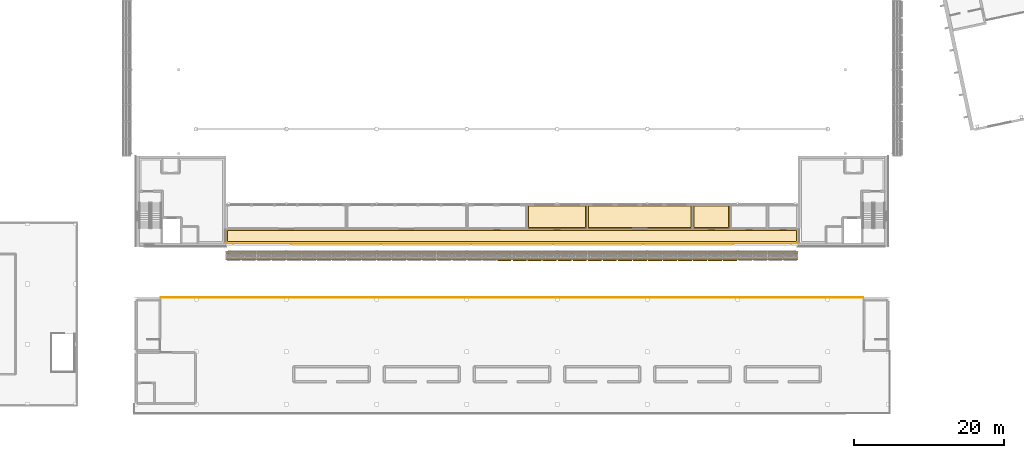
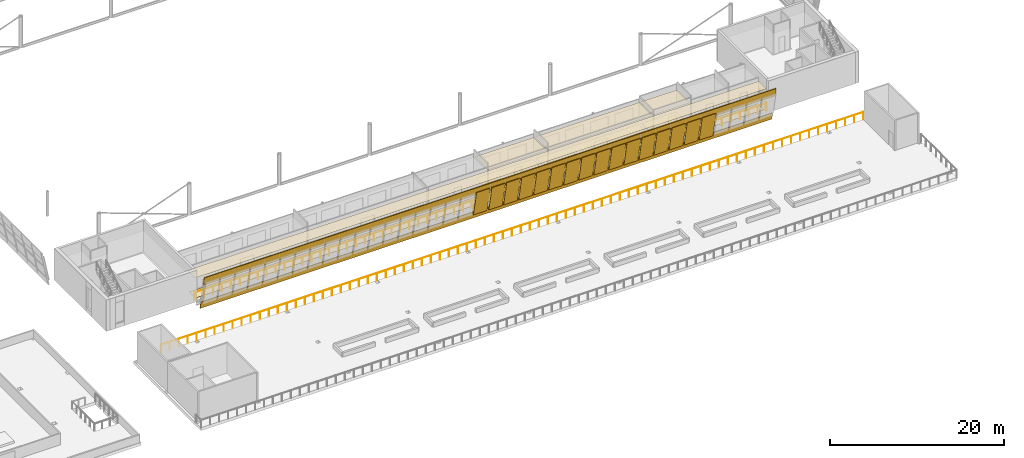
# One storey, part 82 of 95: 16 shading devices, 10 coverings, 2 railings.
"""IFC4 building model written with IfcOpenShell, lengths in metres."""

from ifc_helpers import new_model, si_unit, direction, frame, origin, origin_2d, place, context, subcontext, project, spatial, polyline, circle, outline, extrude, material, layer, layer_set, type_object, element, save


model = new_model("IFC4")

# Units and contexts
model_context = context("Model", 3, precision=1e-05, world=origin(), true_north=direction((0.0, 1.0)))
body_context = subcontext(model_context, "Body", "Model", "MODEL_VIEW")
ifc_project = project(units=[si_unit("LENGTHUNIT", "METRE"), si_unit("AREAUNIT", "SQUARE_METRE"), si_unit("VOLUMEUNIT", "CUBIC_METRE"), si_unit("PLANEANGLEUNIT", "RADIAN"), si_unit("MASSUNIT", "GRAM", prefix="KILO")], contexts=[model_context])

# Site, building, storey
site_placement = place(None, origin())
site = spatial("IfcSite", under=ifc_project, at=site_placement, CompositionType="ELEMENT")
building_placement = place(site_placement, origin())
building = spatial("IfcBuilding", under=site, at=building_placement, Name="Windward Yard Aquatics Centre", CompositionType="ELEMENT")
storey_placement = place(building_placement, frame((0.0, 0.0, 9.39990234375)))
storey = spatial("IfcBuildingStorey", under=building, at=storey_placement, Name="L02", CompositionType="ELEMENT", Elevation=9.39990234375)

# Railing
ifc_material_1 = material(Name="Stainless steel 1.4529", Category="steel")
railing_type_1 = type_object("IfcRailingType", Name="C terrace guard 1100", PredefinedType="GUARDRAIL", material=ifc_material_1)
railing_1_placement = place(storey_placement, frame((148.699951171875, 19.22509765625, 0.0)))
element("IfcRailing", 1, at=railing_1_placement, inside=storey, type_object=railing_type_1, Name="C.R.G2", PredefinedType="GUARDRAIL", context=body_context, shape_type="SweptSolid", body=[
    extrude(circle(Radius=0.02392578125, at=origin_2d()), frame((0.0, 0.0, 1.076171875), z_axis=(-1.0, 0.0, 0.0), x_axis=(0.0, -1.0, 0.0)), (0.0, 0.0, 1.0), 93.39990234375),
    extrude(circle(Radius=0.02099609375, at=origin_2d()), origin(), (0.0, 0.0, 1.0), 1.052001953125),
    extrude(circle(Radius=0.02099609375, at=origin_2d()), frame((-1.197509765625, 0.0, 0.0)), (0.0, 0.0, 1.0), 1.052001953125),
    extrude(circle(Radius=0.02099609375, at=origin_2d()), frame((-2.394775390625, 0.0, 0.0)), (0.0, 0.0, 1.0), 1.052001953125),
    extrude(circle(Radius=0.02099609375, at=origin_2d()), frame((-3.59228515625, 0.0, 0.0)), (0.0, 0.0, 1.0), 1.052001953125),
    extrude(circle(Radius=0.02099609375, at=origin_2d()), frame((-4.789794921875, 0.0, 0.0)), (0.0, 0.0, 1.0), 1.052001953125),
    extrude(circle(Radius=0.02099609375, at=origin_2d()), frame((-5.987060546875, 0.0, 0.0)), (0.0, 0.0, 1.0), 1.052001953125),
    extrude(circle(Radius=0.02099609375, at=origin_2d()), frame((-7.1845703125, 0.0, 0.0)), (0.0, 0.0, 1.0), 1.052001953125),
    extrude(circle(Radius=0.02099609375, at=origin_2d()), frame((-8.382080078125, 0.0, 0.0)), (0.0, 0.0, 1.0), 1.052001953125),
    extrude(circle(Radius=0.02099609375, at=origin_2d()), frame((-9.57958984375, 0.0, 0.0)), (0.0, 0.0, 1.0), 1.052001953125),
    extrude(circle(Radius=0.02099609375, at=origin_2d()), frame((-10.77685546875, 0.0, 0.0)), (0.0, 0.0, 1.0), 1.052001953125),
    extrude(circle(Radius=0.02099609375, at=origin_2d()), frame((-11.974365234375, 0.0, 0.0)), (0.0, 0.0, 1.0), 1.052001953125),
    extrude(circle(Radius=0.02099609375, at=origin_2d()), frame((-13.171875, 0.0, 0.0)), (0.0, 0.0, 1.0), 1.052001953125),
    extrude(circle(Radius=0.02099609375, at=origin_2d()), frame((-14.369140625, 0.0, 0.0)), (0.0, 0.0, 1.0), 1.052001953125),
    extrude(circle(Radius=0.02099609375, at=origin_2d()), frame((-15.566650390625, 0.0, 0.0)), (0.0, 0.0, 1.0), 1.052001953125),
    extrude(circle(Radius=0.02099609375, at=origin_2d()), frame((-16.76416015625, 0.0, 0.0)), (0.0, 0.0, 1.0), 1.052001953125),
    extrude(circle(Radius=0.02099609375, at=origin_2d()), frame((-17.96142578125, 0.0, 0.0)), (0.0, 0.0, 1.0), 1.052001953125),
    extrude(circle(Radius=0.02099609375, at=origin_2d()), frame((-19.158935546875, 0.0, 0.0)), (0.0, 0.0, 1.0), 1.052001953125),
    extrude(circle(Radius=0.02099609375, at=origin_2d()), frame((-20.3564453125, 0.0, 0.0)), (0.0, 0.0, 1.0), 1.052001953125),
    extrude(circle(Radius=0.02099609375, at=origin_2d()), frame((-21.5537109375, 0.0, 0.0)), (0.0, 0.0, 1.0), 1.052001953125),
    extrude(circle(Radius=0.02099609375, at=origin_2d()), frame((-22.751220703125, 0.0, 0.0)), (0.0, 0.0, 1.0), 1.052001953125),
    extrude(circle(Radius=0.02099609375, at=origin_2d()), frame((-23.94873046875, 0.0, 0.0)), (0.0, 0.0, 1.0), 1.052001953125),
    extrude(circle(Radius=0.02099609375, at=origin_2d()), frame((-25.146240234375, 0.0, 0.0)), (0.0, 0.0, 1.0), 1.052001953125),
    extrude(circle(Radius=0.02099609375, at=origin_2d()), frame((-26.343505859375, 0.0, 0.0)), (0.0, 0.0, 1.0), 1.052001953125),
    extrude(circle(Radius=0.02099609375, at=origin_2d()), frame((-27.541015625, 0.0, 0.0)), (0.0, 0.0, 1.0), 1.052001953125),
    extrude(circle(Radius=0.02099609375, at=origin_2d()), frame((-28.738525390625, 0.0, 0.0)), (0.0, 0.0, 1.0), 1.052001953125),
    extrude(circle(Radius=0.02099609375, at=origin_2d()), frame((-29.935791015625, 0.0, 0.0)), (0.0, 0.0, 1.0), 1.052001953125),
    extrude(circle(Radius=0.02099609375, at=origin_2d()), frame((-31.13330078125, 0.0, 0.0)), (0.0, 0.0, 1.0), 1.052001953125),
    extrude(circle(Radius=0.02099609375, at=origin_2d()), frame((-32.330810546875, 0.0, 0.0)), (0.0, 0.0, 1.0), 1.052001953125),
    extrude(circle(Radius=0.02099609375, at=origin_2d()), frame((-33.528076171875, 0.0, 0.0)), (0.0, 0.0, 1.0), 1.052001953125),
    extrude(circle(Radius=0.02099609375, at=origin_2d()), frame((-34.7255859375, 0.0, 0.0)), (0.0, 0.0, 1.0), 1.052001953125),
    extrude(circle(Radius=0.02099609375, at=origin_2d()), frame((-35.923095703125, 0.0, 0.0)), (0.0, 0.0, 1.0), 1.052001953125),
    extrude(circle(Radius=0.02099609375, at=origin_2d()), frame((-37.120361328125, 0.0, 0.0)), (0.0, 0.0, 1.0), 1.052001953125),
    extrude(circle(Radius=0.02099609375, at=origin_2d()), frame((-38.31787109375, 0.0, 0.0)), (0.0, 0.0, 1.0), 1.052001953125),
    extrude(circle(Radius=0.02099609375, at=origin_2d()), frame((-39.515380859375, 0.0, 0.0)), (0.0, 0.0, 1.0), 1.052001953125),
    extrude(circle(Radius=0.02099609375, at=origin_2d()), frame((-40.712890625, 0.0, 0.0)), (0.0, 0.0, 1.0), 1.052001953125),
    extrude(circle(Radius=0.02099609375, at=origin_2d()), frame((-41.91015625, 0.0, 0.0)), (0.0, 0.0, 1.0), 1.052001953125),
    extrude(circle(Radius=0.02099609375, at=origin_2d()), frame((-43.107666015625, 0.0, 0.0)), (0.0, 0.0, 1.0), 1.052001953125),
    extrude(circle(Radius=0.02099609375, at=origin_2d()), frame((-44.30517578125, 0.0, 0.0)), (0.0, 0.0, 1.0), 1.052001953125),
    extrude(circle(Radius=0.02099609375, at=origin_2d()), frame((-45.50244140625, 0.0, 0.0)), (0.0, 0.0, 1.0), 1.052001953125),
    extrude(circle(Radius=0.02099609375, at=origin_2d()), frame((-46.699951171875, 0.0, 0.0)), (0.0, 0.0, 1.0), 1.052001953125),
    extrude(circle(Radius=0.02099609375, at=origin_2d()), frame((-47.8974609375, 0.0, 0.0)), (0.0, 0.0, 1.0), 1.052001953125),
    extrude(circle(Radius=0.02099609375, at=origin_2d()), frame((-49.0947265625, 0.0, 0.0)), (0.0, 0.0, 1.0), 1.052001953125),
    extrude(circle(Radius=0.02099609375, at=origin_2d()), frame((-50.292236328125, 0.0, 0.0)), (0.0, 0.0, 1.0), 1.052001953125),
    extrude(circle(Radius=0.02099609375, at=origin_2d()), frame((-51.48974609375, 0.0, 0.0)), (0.0, 0.0, 1.0), 1.052001953125),
    extrude(circle(Radius=0.02099609375, at=origin_2d()), frame((-52.68701171875, 0.0, 0.0)), (0.0, 0.0, 1.0), 1.052001953125),
    extrude(circle(Radius=0.02099609375, at=origin_2d()), frame((-53.884521484375, 0.0, 0.0)), (0.0, 0.0, 1.0), 1.052001953125),
    extrude(circle(Radius=0.02099609375, at=origin_2d()), frame((-55.08203125, 0.0, 0.0)), (0.0, 0.0, 1.0), 1.052001953125),
    extrude(circle(Radius=0.02099609375, at=origin_2d()), frame((-56.279541015625, 0.0, 0.0)), (0.0, 0.0, 1.0), 1.052001953125),
    extrude(circle(Radius=0.02099609375, at=origin_2d()), frame((-57.476806640625, 0.0, 0.0)), (0.0, 0.0, 1.0), 1.052001953125),
    extrude(circle(Radius=0.02099609375, at=origin_2d()), frame((-58.67431640625, 0.0, 0.0)), (0.0, 0.0, 1.0), 1.052001953125),
    extrude(circle(Radius=0.02099609375, at=origin_2d()), frame((-59.871826171875, 0.0, 0.0)), (0.0, 0.0, 1.0), 1.052001953125),
    extrude(circle(Radius=0.02099609375, at=origin_2d()), frame((-61.069091796875, 0.0, 0.0)), (0.0, 0.0, 1.0), 1.052001953125),
    extrude(circle(Radius=0.02099609375, at=origin_2d()), frame((-62.2666015625, 0.0, 0.0)), (0.0, 0.0, 1.0), 1.052001953125),
    extrude(circle(Radius=0.02099609375, at=origin_2d()), frame((-63.464111328125, 0.0, 0.0)), (0.0, 0.0, 1.0), 1.052001953125),
    extrude(circle(Radius=0.02099609375, at=origin_2d()), frame((-64.661376953125, 0.0, 0.0)), (0.0, 0.0, 1.0), 1.052001953125),
    extrude(circle(Radius=0.02099609375, at=origin_2d()), frame((-65.85888671875, 0.0, 0.0)), (0.0, 0.0, 1.0), 1.052001953125),
    extrude(circle(Radius=0.02099609375, at=origin_2d()), frame((-67.056396484375, 0.0, 0.0)), (0.0, 0.0, 1.0), 1.052001953125),
    extrude(circle(Radius=0.02099609375, at=origin_2d()), frame((-68.253662109375, 0.0, 0.0)), (0.0, 0.0, 1.0), 1.052001953125),
    extrude(circle(Radius=0.02099609375, at=origin_2d()), frame((-69.451171875, 0.0, 0.0)), (0.0, 0.0, 1.0), 1.052001953125),
    extrude(circle(Radius=0.02099609375, at=origin_2d()), frame((-70.648681640625, 0.0, 0.0)), (0.0, 0.0, 1.0), 1.052001953125),
    extrude(circle(Radius=0.02099609375, at=origin_2d()), frame((-71.84619140625, 0.0, 0.0)), (0.0, 0.0, 1.0), 1.052001953125),
    extrude(circle(Radius=0.02099609375, at=origin_2d()), frame((-73.04345703125, 0.0, 0.0)), (0.0, 0.0, 1.0), 1.052001953125),
    extrude(circle(Radius=0.02099609375, at=origin_2d()), frame((-74.240966796875, 0.0, 0.0)), (0.0, 0.0, 1.0), 1.052001953125),
    extrude(circle(Radius=0.02099609375, at=origin_2d()), frame((-75.4384765625, 0.0, 0.0)), (0.0, 0.0, 1.0), 1.052001953125),
    extrude(circle(Radius=0.02099609375, at=origin_2d()), frame((-76.6357421875, 0.0, 0.0)), (0.0, 0.0, 1.0), 1.052001953125),
    extrude(circle(Radius=0.02099609375, at=origin_2d()), frame((-77.833251953125, 0.0, 0.0)), (0.0, 0.0, 1.0), 1.052001953125),
    extrude(circle(Radius=0.02099609375, at=origin_2d()), frame((-79.03076171875, 0.0, 0.0)), (0.0, 0.0, 1.0), 1.052001953125),
    extrude(circle(Radius=0.02099609375, at=origin_2d()), frame((-80.22802734375, 0.0, 0.0)), (0.0, 0.0, 1.0), 1.052001953125),
    extrude(circle(Radius=0.02099609375, at=origin_2d()), frame((-81.425537109375, 0.0, 0.0)), (0.0, 0.0, 1.0), 1.052001953125),
    extrude(circle(Radius=0.02099609375, at=origin_2d()), frame((-82.623046875, 0.0, 0.0)), (0.0, 0.0, 1.0), 1.052001953125),
    extrude(circle(Radius=0.02099609375, at=origin_2d()), frame((-83.8203125, 0.0, 0.0)), (0.0, 0.0, 1.0), 1.052001953125),
    extrude(circle(Radius=0.02099609375, at=origin_2d()), frame((-85.017822265625, 0.0, 0.0)), (0.0, 0.0, 1.0), 1.052001953125),
    extrude(circle(Radius=0.02099609375, at=origin_2d()), frame((-86.21533203125, 0.0, 0.0)), (0.0, 0.0, 1.0), 1.052001953125),
    extrude(circle(Radius=0.02099609375, at=origin_2d()), frame((-87.412841796875, 0.0, 0.0)), (0.0, 0.0, 1.0), 1.052001953125),
    extrude(circle(Radius=0.02099609375, at=origin_2d()), frame((-88.610107421875, 0.0, 0.0)), (0.0, 0.0, 1.0), 1.052001953125),
    extrude(circle(Radius=0.02099609375, at=origin_2d()), frame((-89.8076171875, 0.0, 0.0)), (0.0, 0.0, 1.0), 1.052001953125),
    extrude(circle(Radius=0.02099609375, at=origin_2d()), frame((-91.005126953125, 0.0, 0.0)), (0.0, 0.0, 1.0), 1.052001953125),
    extrude(circle(Radius=0.02099609375, at=origin_2d()), frame((-92.202392578125, 0.0, 0.0)), (0.0, 0.0, 1.0), 1.052001953125),
    extrude(circle(Radius=0.02099609375, at=origin_2d()), frame((-93.39990234375, 0.0, 0.0)), (0.0, 0.0, 1.0), 1.052001953125),
])

# Coverings
ifc_material_2 = material(Name="Polished screed")
ifc_layer_1 = layer(ifc_material_2, 0.0400390625)
ifc_layer_set_1 = layer_set([ifc_layer_1], Name="H Floor Finish Screed 40")
covering_type_1 = type_object("IfcCoveringType", Name="H Floor Finish Screed 40", PredefinedType="FLOORING", material=ifc_layer_set_1)
covering_1_placement = place(storey_placement, origin())
element("IfcCovering", 2, at=covering_1_placement, inside=storey, type_object=covering_type_1, Name="Scoreboard and Control Room floor finish", PredefinedType="FLOORING", context=body_context, shape_type="SweptSolid", body=[
    extrude(outline(polyline([(104.199951171875, 28.5), (104.199951171875, 31.359619140625), (111.800048828125, 31.359619140625), (111.800048828125, 28.5), (104.199951171875, 28.5)])), origin(), (0.0, 0.0, 1.0), 0.02001953125),
])
covering_2_placement = place(storey_placement, origin())
element("IfcCovering", 3, at=covering_2_placement, inside=storey, type_object=covering_type_1, Name="VIP Suite floor finish", PredefinedType="FLOORING", context=body_context, shape_type="SweptSolid", body=[
    extrude(outline(polyline([(112.199951171875, 28.5), (112.199951171875, 31.359619140625), (125.800048828125, 31.359619140625), (125.800048828125, 28.5), (112.199951171875, 28.5)])), origin(), (0.0, 0.0, 1.0), 0.02001953125),
])
covering_3_placement = place(storey_placement, origin())
element("IfcCovering", 4, at=covering_3_placement, inside=storey, type_object=covering_type_1, Name="Upper Corridor South floor finish", PredefinedType="FLOORING", context=body_context, shape_type="SweptSolid", body=[
    extrude(outline(polyline([(64.199951171875, 26.64990234375), (64.199951171875, 28.10009765625), (139.800048828125, 28.10009765625), (139.800048828125, 26.64990234375), (64.199951171875, 26.64990234375)])), origin(), (0.0, 0.0, 1.0), 0.02001953125),
])
ifc_material_3 = material(Name="Ceramic tile")
ifc_layer_2 = layer(ifc_material_3, 0.02001953125)
ifc_layer_set_2 = layer_set([ifc_layer_2], Name="H Floor Finish Tile 20")
covering_type_2 = type_object("IfcCoveringType", Name="H Floor Finish Tile 20", PredefinedType="FLOORING", material=ifc_layer_set_2)
covering_4_placement = place(storey_placement, origin())
element("IfcCovering", 5, at=covering_4_placement, inside=storey, type_object=covering_type_2, Name="Upper WC Men floor finish", PredefinedType="FLOORING", context=body_context, shape_type="SweptSolid", body=[
    extrude(outline(polyline([(126.199951171875, 28.5), (126.199951171875, 31.359619140625), (130.800048828125, 31.359619140625), (130.800048828125, 28.5), (126.199951171875, 28.5)])), origin(), (0.0, 0.0, 1.0), 0.02001953125),
])
ifc_material_4 = material(Name="Aluminium plank", Category="aluminium")
ifc_layer_3 = layer(ifc_material_4, 0.02001953125)
ifc_layer_set_3 = layer_set([ifc_layer_3], Name="H Moisture Resistant Ceiling")
covering_type_3 = type_object("IfcCoveringType", Name="H Moisture Resistant Ceiling", PredefinedType="CEILING", material=ifc_layer_set_3)
covering_5_placement = place(storey_placement, frame((0.0, 0.0, 3.0)))
element("IfcCovering", 6, at=covering_5_placement, inside=storey, type_object=covering_type_3, Name="Upper WC Men ceiling", PredefinedType="CEILING", context=body_context, shape_type="SweptSolid", body=[
    extrude(outline(polyline([(126.075439453125, 28.37548828125), (126.075439453125, 31.4091796875), (130.924560546875, 31.4091796875), (130.924560546875, 28.37548828125), (126.075439453125, 28.37548828125)])), origin(), (0.0, 0.0, 1.0), 0.02001953125),
])
ifc_material_5 = material(Name="Mineral fibre tile")
ifc_layer_4 = layer(ifc_material_5, 0.02001953125)
ifc_layer_set_4 = layer_set([ifc_layer_4], Name="H Suspended Ceiling 600 x 600")
covering_type_4 = type_object("IfcCoveringType", Name="H Suspended Ceiling 600 x 600", PredefinedType="CEILING", material=ifc_layer_set_4)
covering_6_placement = place(storey_placement, frame((0.0, 0.0, 3.0)))
element("IfcCovering", 7, at=covering_6_placement, inside=storey, type_object=covering_type_4, Name="Scoreboard and Control Room ceiling", PredefinedType="CEILING", context=body_context, shape_type="SweptSolid", body=[
    extrude(outline(polyline([(104.075439453125, 28.37548828125), (104.075439453125, 31.4091796875), (111.924560546875, 31.4091796875), (111.924560546875, 28.37548828125), (104.075439453125, 28.37548828125)])), origin(), (0.0, 0.0, 1.0), 0.02001953125),
])
covering_7_placement = place(storey_placement, frame((0.0, 0.0, 3.0)))
element("IfcCovering", 8, at=covering_7_placement, inside=storey, type_object=covering_type_4, Name="VIP Suite ceiling", PredefinedType="CEILING", context=body_context, shape_type="SweptSolid", body=[
    extrude(outline(polyline([(112.075439453125, 28.37548828125), (112.075439453125, 31.4091796875), (125.924560546875, 31.4091796875), (125.924560546875, 28.37548828125), (112.075439453125, 28.37548828125)])), origin(), (0.0, 0.0, 1.0), 0.02001953125),
])
covering_8_placement = place(storey_placement, frame((0.0, 0.0, 3.0)))
element("IfcCovering", 9, at=covering_8_placement, inside=storey, type_object=covering_type_4, Name="Upper Corridor South ceiling", PredefinedType="CEILING", context=body_context, shape_type="SweptSolid", body=[
    extrude(outline(polyline([(64.00048828125, 26.449951171875), (64.00048828125, 28.224609375), (139.99951171875, 28.224609375), (139.99951171875, 26.449951171875), (64.00048828125, 26.449951171875)])), origin(), (0.0, 0.0, 1.0), 0.02001953125),
])

# Railing
ifc_material_6 = material(Name="Stainless steel 1.4401 with toughened laminated glass infill", Category="steel")
railing_type_2 = type_object("IfcRailingType", Name="H gallery guard 1100", PredefinedType="GUARDRAIL", material=ifc_material_6)
railing_2_placement = place(storey_placement, frame((64.02099609375, 26.56005859375, 0.0)))
element("IfcRailing", 10, at=railing_2_placement, inside=storey, type_object=railing_type_2, Name="Gallery guard S", PredefinedType="GUARDRAIL", context=body_context, shape_type="SweptSolid", body=[
    extrude(circle(Radius=0.02392578125, at=origin_2d()), frame((0.0, 0.0, 1.076171875), z_axis=(0.0, -1.0, 0.0), x_axis=(1.0, 0.0, 0.0)), (0.0, 0.0, 1.0), 0.199951171875),
    extrude(circle(Radius=0.02392578125, at=origin_2d()), frame((0.0, -0.199951171875, 1.076171875), z_axis=(1.0, 0.0, 0.0), x_axis=(0.0, 1.0, 0.0)), (0.0, 0.0, 1.0), 75.9580078125),
    extrude(circle(Radius=0.02392578125, at=origin_2d()), frame((75.9580078125, -0.199951171875, 1.076171875), z_axis=(0.0, 1.0, 0.0), x_axis=(-1.0, 0.0, 0.0)), (0.0, 0.0, 1.0), 0.199951171875),
    extrude(circle(Radius=0.02099609375, at=origin_2d()), origin(), (0.0, 0.0, 1.0), 1.052001953125),
    extrude(circle(Radius=0.02099609375, at=origin_2d()), frame((0.0, -0.199951171875, 0.0)), (0.0, 0.0, 1.0), 1.052001953125),
    extrude(circle(Radius=0.02099609375, at=origin_2d()), frame((1.186767578125, -0.199951171875, 0.0)), (0.0, 0.0, 1.0), 1.052001953125),
    extrude(circle(Radius=0.02099609375, at=origin_2d()), frame((2.373779296875, -0.199951171875, 0.0)), (0.0, 0.0, 1.0), 1.052001953125),
    extrude(circle(Radius=0.02099609375, at=origin_2d()), frame((3.560546875, -0.199951171875, 0.0)), (0.0, 0.0, 1.0), 1.052001953125),
    extrude(circle(Radius=0.02099609375, at=origin_2d()), frame((4.747314453125, -0.199951171875, 0.0)), (0.0, 0.0, 1.0), 1.052001953125),
    extrude(circle(Radius=0.02099609375, at=origin_2d()), frame((5.934326171875, -0.199951171875, 0.0)), (0.0, 0.0, 1.0), 1.052001953125),
    extrude(circle(Radius=0.02099609375, at=origin_2d()), frame((7.12109375, -0.199951171875, 0.0)), (0.0, 0.0, 1.0), 1.052001953125),
    extrude(circle(Radius=0.02099609375, at=origin_2d()), frame((8.307861328125, -0.199951171875, 0.0)), (0.0, 0.0, 1.0), 1.052001953125),
    extrude(circle(Radius=0.02099609375, at=origin_2d()), frame((9.49462890625, -0.199951171875, 0.0)), (0.0, 0.0, 1.0), 1.052001953125),
    extrude(circle(Radius=0.02099609375, at=origin_2d()), frame((10.681640625, -0.199951171875, 0.0)), (0.0, 0.0, 1.0), 1.052001953125),
    extrude(circle(Radius=0.02099609375, at=origin_2d()), frame((11.868408203125, -0.199951171875, 0.0)), (0.0, 0.0, 1.0), 1.052001953125),
    extrude(circle(Radius=0.02099609375, at=origin_2d()), frame((13.05517578125, -0.199951171875, 0.0)), (0.0, 0.0, 1.0), 1.052001953125),
    extrude(circle(Radius=0.02099609375, at=origin_2d()), frame((14.2421875, -0.199951171875, 0.0)), (0.0, 0.0, 1.0), 1.052001953125),
    extrude(circle(Radius=0.02099609375, at=origin_2d()), frame((15.428955078125, -0.199951171875, 0.0)), (0.0, 0.0, 1.0), 1.052001953125),
    extrude(circle(Radius=0.02099609375, at=origin_2d()), frame((16.61572265625, -0.199951171875, 0.0)), (0.0, 0.0, 1.0), 1.052001953125),
    extrude(circle(Radius=0.02099609375, at=origin_2d()), frame((17.802734375, -0.199951171875, 0.0)), (0.0, 0.0, 1.0), 1.052001953125),
    extrude(circle(Radius=0.02099609375, at=origin_2d()), frame((18.989501953125, -0.199951171875, 0.0)), (0.0, 0.0, 1.0), 1.052001953125),
    extrude(circle(Radius=0.02099609375, at=origin_2d()), frame((20.17626953125, -0.199951171875, 0.0)), (0.0, 0.0, 1.0), 1.052001953125),
    extrude(circle(Radius=0.02099609375, at=origin_2d()), frame((21.36328125, -0.199951171875, 0.0)), (0.0, 0.0, 1.0), 1.052001953125),
    extrude(circle(Radius=0.02099609375, at=origin_2d()), frame((22.550048828125, -0.199951171875, 0.0)), (0.0, 0.0, 1.0), 1.052001953125),
    extrude(circle(Radius=0.02099609375, at=origin_2d()), frame((23.73681640625, -0.199951171875, 0.0)), (0.0, 0.0, 1.0), 1.052001953125),
    extrude(circle(Radius=0.02099609375, at=origin_2d()), frame((24.923828125, -0.199951171875, 0.0)), (0.0, 0.0, 1.0), 1.052001953125),
    extrude(circle(Radius=0.02099609375, at=origin_2d()), frame((26.110595703125, -0.199951171875, 0.0)), (0.0, 0.0, 1.0), 1.052001953125),
    extrude(circle(Radius=0.02099609375, at=origin_2d()), frame((27.29736328125, -0.199951171875, 0.0)), (0.0, 0.0, 1.0), 1.052001953125),
    extrude(circle(Radius=0.02099609375, at=origin_2d()), frame((28.484375, -0.199951171875, 0.0)), (0.0, 0.0, 1.0), 1.052001953125),
    extrude(circle(Radius=0.02099609375, at=origin_2d()), frame((29.671142578125, -0.199951171875, 0.0)), (0.0, 0.0, 1.0), 1.052001953125),
    extrude(circle(Radius=0.02099609375, at=origin_2d()), frame((30.85791015625, -0.199951171875, 0.0)), (0.0, 0.0, 1.0), 1.052001953125),
    extrude(circle(Radius=0.02099609375, at=origin_2d()), frame((32.044677734375, -0.199951171875, 0.0)), (0.0, 0.0, 1.0), 1.052001953125),
    extrude(circle(Radius=0.02099609375, at=origin_2d()), frame((33.231689453125, -0.199951171875, 0.0)), (0.0, 0.0, 1.0), 1.052001953125),
    extrude(circle(Radius=0.02099609375, at=origin_2d()), frame((34.41845703125, -0.199951171875, 0.0)), (0.0, 0.0, 1.0), 1.052001953125),
    extrude(circle(Radius=0.02099609375, at=origin_2d()), frame((35.605224609375, -0.199951171875, 0.0)), (0.0, 0.0, 1.0), 1.052001953125),
    extrude(circle(Radius=0.02099609375, at=origin_2d()), frame((36.792236328125, -0.199951171875, 0.0)), (0.0, 0.0, 1.0), 1.052001953125),
    extrude(circle(Radius=0.02099609375, at=origin_2d()), frame((37.97900390625, -0.199951171875, 0.0)), (0.0, 0.0, 1.0), 1.052001953125),
    extrude(circle(Radius=0.02099609375, at=origin_2d()), frame((39.165771484375, -0.199951171875, 0.0)), (0.0, 0.0, 1.0), 1.052001953125),
    extrude(circle(Radius=0.02099609375, at=origin_2d()), frame((40.352783203125, -0.199951171875, 0.0)), (0.0, 0.0, 1.0), 1.052001953125),
    extrude(circle(Radius=0.02099609375, at=origin_2d()), frame((41.53955078125, -0.199951171875, 0.0)), (0.0, 0.0, 1.0), 1.052001953125),
    extrude(circle(Radius=0.02099609375, at=origin_2d()), frame((42.726318359375, -0.199951171875, 0.0)), (0.0, 0.0, 1.0), 1.052001953125),
    extrude(circle(Radius=0.02099609375, at=origin_2d()), frame((43.913330078125, -0.199951171875, 0.0)), (0.0, 0.0, 1.0), 1.052001953125),
    extrude(circle(Radius=0.02099609375, at=origin_2d()), frame((45.10009765625, -0.199951171875, 0.0)), (0.0, 0.0, 1.0), 1.052001953125),
    extrude(circle(Radius=0.02099609375, at=origin_2d()), frame((46.286865234375, -0.199951171875, 0.0)), (0.0, 0.0, 1.0), 1.052001953125),
    extrude(circle(Radius=0.02099609375, at=origin_2d()), frame((47.4736328125, -0.199951171875, 0.0)), (0.0, 0.0, 1.0), 1.052001953125),
    extrude(circle(Radius=0.02099609375, at=origin_2d()), frame((48.66064453125, -0.199951171875, 0.0)), (0.0, 0.0, 1.0), 1.052001953125),
    extrude(circle(Radius=0.02099609375, at=origin_2d()), frame((49.847412109375, -0.199951171875, 0.0)), (0.0, 0.0, 1.0), 1.052001953125),
    extrude(circle(Radius=0.02099609375, at=origin_2d()), frame((51.0341796875, -0.199951171875, 0.0)), (0.0, 0.0, 1.0), 1.052001953125),
    extrude(circle(Radius=0.02099609375, at=origin_2d()), frame((52.22119140625, -0.199951171875, 0.0)), (0.0, 0.0, 1.0), 1.052001953125),
    extrude(circle(Radius=0.02099609375, at=origin_2d()), frame((53.407958984375, -0.199951171875, 0.0)), (0.0, 0.0, 1.0), 1.052001953125),
    extrude(circle(Radius=0.02099609375, at=origin_2d()), frame((54.5947265625, -0.199951171875, 0.0)), (0.0, 0.0, 1.0), 1.052001953125),
    extrude(circle(Radius=0.02099609375, at=origin_2d()), frame((55.78173828125, -0.199951171875, 0.0)), (0.0, 0.0, 1.0), 1.052001953125),
    extrude(circle(Radius=0.02099609375, at=origin_2d()), frame((56.968505859375, -0.199951171875, 0.0)), (0.0, 0.0, 1.0), 1.052001953125),
    extrude(circle(Radius=0.02099609375, at=origin_2d()), frame((58.1552734375, -0.199951171875, 0.0)), (0.0, 0.0, 1.0), 1.052001953125),
    extrude(circle(Radius=0.02099609375, at=origin_2d()), frame((59.34228515625, -0.199951171875, 0.0)), (0.0, 0.0, 1.0), 1.052001953125),
    extrude(circle(Radius=0.02099609375, at=origin_2d()), frame((60.529052734375, -0.199951171875, 0.0)), (0.0, 0.0, 1.0), 1.052001953125),
    extrude(circle(Radius=0.02099609375, at=origin_2d()), frame((61.7158203125, -0.199951171875, 0.0)), (0.0, 0.0, 1.0), 1.052001953125),
    extrude(circle(Radius=0.02099609375, at=origin_2d()), frame((62.90283203125, -0.199951171875, 0.0)), (0.0, 0.0, 1.0), 1.052001953125),
    extrude(circle(Radius=0.02099609375, at=origin_2d()), frame((64.089599609375, -0.199951171875, 0.0)), (0.0, 0.0, 1.0), 1.052001953125),
    extrude(circle(Radius=0.02099609375, at=origin_2d()), frame((65.2763671875, -0.199951171875, 0.0)), (0.0, 0.0, 1.0), 1.052001953125),
    extrude(circle(Radius=0.02099609375, at=origin_2d()), frame((66.46337890625, -0.199951171875, 0.0)), (0.0, 0.0, 1.0), 1.052001953125),
    extrude(circle(Radius=0.02099609375, at=origin_2d()), frame((67.650146484375, -0.199951171875, 0.0)), (0.0, 0.0, 1.0), 1.052001953125),
    extrude(circle(Radius=0.02099609375, at=origin_2d()), frame((68.8369140625, -0.199951171875, 0.0)), (0.0, 0.0, 1.0), 1.052001953125),
    extrude(circle(Radius=0.02099609375, at=origin_2d()), frame((70.023681640625, -0.199951171875, 0.0)), (0.0, 0.0, 1.0), 1.052001953125),
    extrude(circle(Radius=0.02099609375, at=origin_2d()), frame((71.210693359375, -0.199951171875, 0.0)), (0.0, 0.0, 1.0), 1.052001953125),
    extrude(circle(Radius=0.02099609375, at=origin_2d()), frame((72.3974609375, -0.199951171875, 0.0)), (0.0, 0.0, 1.0), 1.052001953125),
    extrude(circle(Radius=0.02099609375, at=origin_2d()), frame((73.584228515625, -0.199951171875, 0.0)), (0.0, 0.0, 1.0), 1.052001953125),
    extrude(circle(Radius=0.02099609375, at=origin_2d()), frame((74.771240234375, -0.199951171875, 0.0)), (0.0, 0.0, 1.0), 1.052001953125),
    extrude(circle(Radius=0.02099609375, at=origin_2d()), frame((75.9580078125, -0.199951171875, 0.0)), (0.0, 0.0, 1.0), 1.052001953125),
    extrude(circle(Radius=0.02099609375, at=origin_2d()), frame((75.9580078125, 0.0, 0.0)), (0.0, 0.0, 1.0), 1.052001953125),
])

# Shading devices
ifc_material_7 = material(Name="Aluminium extruded louvre blades, powder coated", Category="aluminium")
ifc_layer_5 = layer(ifc_material_7, 0.080078125)
ifc_layer_set_5 = layer_set([ifc_layer_5], Name="H storm louvre shutter 1802x3637")
shading_device_type = type_object("IfcShadingDeviceType", Name="H storm louvre shutter 1802x3637", PredefinedType="SHUTTER", material=ifc_layer_set_5)
for number, where, z_axis, x_axis, name in (
    (11, (100.077880859375, 24.125, 3.850830078125), (0.0, 0.97992466091, 0.19936814926), (0.0, 0.19936814926, -0.97992466091), "Storm louvre S L02 A19"),
    (12, (102.1201171875, 24.125, 3.850830078125), (0.0, 0.97992466091, 0.19936814926), (0.0, 0.19936814926, -0.97992466091), "Storm louvre S L02 B1"),
):
    element("IfcShadingDevice", number, at=place(storey_placement, frame(where, z_axis=z_axis, x_axis=x_axis)), inside=storey, type_object=shading_device_type, Name=name, PredefinedType="SHUTTER", context=body_context, shape_type="SweptSolid", body=[
        extrude(outline(polyline([(0.0, 0.0), (3.636978, 0.0), (3.636978, -1.802002), (0.0, -1.802002), (0.0, 0.0)])), origin(), (0.0, 0.0, -1.0), 0.080078125),
    ])
for number, where, z_axis, x_axis, name in (
    (13, (104.087158203125, 24.125, 3.850830078125), (0.0, 0.97992466091, 0.19936814926), (0.0, 0.19936814926, -0.97992466091), "Storm louvre S L02 B2"),
    (14, (106.0869140625, 24.125, 3.850830078125), (0.0, 0.97992466091, 0.19936814926), (0.0, 0.19936814926, -0.97992466091), "Storm louvre S L02 B3"),
    (15, (108.086669921875, 24.125, 3.850830078125), (0.0, 0.97992466091, 0.19936814926), (0.0, 0.19936814926, -0.97992466091), "Storm louvre S L02 B4"),
    (16, (110.08642578125, 24.125, 3.850830078125), (0.0, 0.97992466091, 0.19936814926), (0.0, 0.19936814926, -0.97992466091), "Storm louvre S L02 B5"),
    (17, (112.086181640625, 24.125, 3.850830078125), (0.0, 0.97992466091, 0.19936814926), (0.0, 0.19936814926, -0.97992466091), "Storm louvre S L02 B6"),
    (18, (114.0859375, 24.125, 3.850830078125), (0.0, 0.97992466091, 0.19936814926), (0.0, 0.19936814926, -0.97992466091), "Storm louvre S L02 B7"),
    (19, (116.085693359375, 24.125, 3.850830078125), (0.0, 0.97992466091, 0.19936814926), (0.0, 0.19936814926, -0.97992466091), "Storm louvre S L02 B8"),
    (20, (118.08544921875, 24.125, 3.850830078125), (0.0, 0.97992466091, 0.19936814926), (0.0, 0.19936814926, -0.97992466091), "Storm louvre S L02 B9"),
    (21, (120.085205078125, 24.125, 3.850830078125), (0.0, 0.97992466091, 0.19936814926), (0.0, 0.19936814926, -0.97992466091), "Storm louvre S L02 B10"),
    (22, (122.0849609375, 24.125, 3.850830078125), (0.0, 0.97992466091, 0.19936814926), (0.0, 0.19936814926, -0.97992466091), "Storm louvre S L02 B11"),
    (23, (124.084716796875, 24.125, 3.850830078125), (0.0, 0.97992466091, 0.19936814926), (0.0, 0.19936814926, -0.97992466091), "Storm louvre S L02 B12"),
):
    element("IfcShadingDevice", number, at=place(storey_placement, frame(where, z_axis=z_axis, x_axis=x_axis)), inside=storey, type_object=shading_device_type, Name=name, PredefinedType="SHUTTER", context=body_context, shape_type="SweptSolid", body=[
        extrude(outline(polyline([(0.0, 0.0), (3.636978, 0.0), (3.636978, -1.834717), (0.0, -1.834717), (0.0, 0.0)])), origin(), (0.0, 0.0, -1.0), 0.080078125),
    ])
shading_device_placement = place(storey_placement, frame((126.084228515625, 24.125, 3.850830078125), z_axis=(0.0, 0.97992466091, 0.19936814926), x_axis=(0.0, 0.19936814926, -0.97992466091)))
element("IfcShadingDevice", 24, at=shading_device_placement, inside=storey, type_object=shading_device_type, Name="Storm louvre S L02 B13", PredefinedType="SHUTTER", context=body_context, shape_type="SweptSolid", body=[
    extrude(outline(polyline([(0.0, 0.0), (3.636978, 0.0), (3.636978, -1.834961), (0.0, -1.834961), (0.0, 0.0)])), origin(), (0.0, 0.0, -1.0), 0.080078125),
])
for number, where, z_axis, x_axis, name in (
    (25, (128.083984375, 24.125, 3.850830078125), (0.0, 0.97992466091, 0.19936814926), (0.0, 0.19936814926, -0.97992466091), "Storm louvre S L02 B14"),
    (26, (130.083740234375, 24.125, 3.850830078125), (0.0, 0.97992466091, 0.19936814926), (0.0, 0.19936814926, -0.97992466091), "Storm louvre S L02 B15"),
):
    element("IfcShadingDevice", number, at=place(storey_placement, frame(where, z_axis=z_axis, x_axis=x_axis)), inside=storey, type_object=shading_device_type, Name=name, PredefinedType="SHUTTER", context=body_context, shape_type="SweptSolid", body=[
        extrude(outline(polyline([(0.0, 0.0), (3.636978, 0.0), (3.636978, -1.834717), (0.0, -1.834717), (0.0, 0.0)])), origin(), (0.0, 0.0, -1.0), 0.080078125),
    ])

# Coverings
ifc_material_8 = material(Name="Natural limestone cladding", Category="masonry")
ifc_layer_6 = layer(ifc_material_8, 0.125)
ifc_layer_set_6 = layer_set([ifc_layer_6], Name="H tier stone band 125")
covering_type_5 = type_object("IfcCoveringType", Name="H tier stone band 125", PredefinedType="CLADDING", material=ifc_layer_set_6)
covering_9_placement = place(storey_placement, frame((64.0, 26.0, 13.2001953125), z_axis=(1.0, 0.0, 0.0), x_axis=(0.0, 1.0, 0.0)))
element("IfcCovering", 27, at=covering_9_placement, inside=storey, type_object=covering_type_5, Name="Tier 1 edge fascia S", PredefinedType="CLADDING", context=body_context, shape_type="SweptSolid", body=[
    extrude(outline(polyline([(-1.546142578125, -10.0), (-1.418701171875, -10.0), (-1.662841796875, -8.800048828125), (-1.790283203125, -8.800048828125), (-1.546142578125, -10.0)])), origin(), (0.0, 0.0, 1.0), 76.0),
])
covering_10_placement = place(storey_placement, frame((64.0, 26.0, 13.2001953125), z_axis=(1.0, 0.0, 0.0), x_axis=(0.0, 1.0, 0.0)))
element("IfcCovering", 28, at=covering_10_placement, inside=storey, type_object=covering_type_5, Name="Tier 1 spandrel band S", PredefinedType="CLADDING", context=body_context, shape_type="SweptSolid", body=[
    extrude(outline(polyline([(-0.79345703125, -13.699951171875), (-0.666015625, -13.699951171875), (-0.869384765625, -12.699951171875), (-0.996826171875, -12.699951171875), (-0.79345703125, -13.699951171875)])), origin(), (0.0, 0.0, 1.0), 76.0),
])

save(model, "model.ifc")
